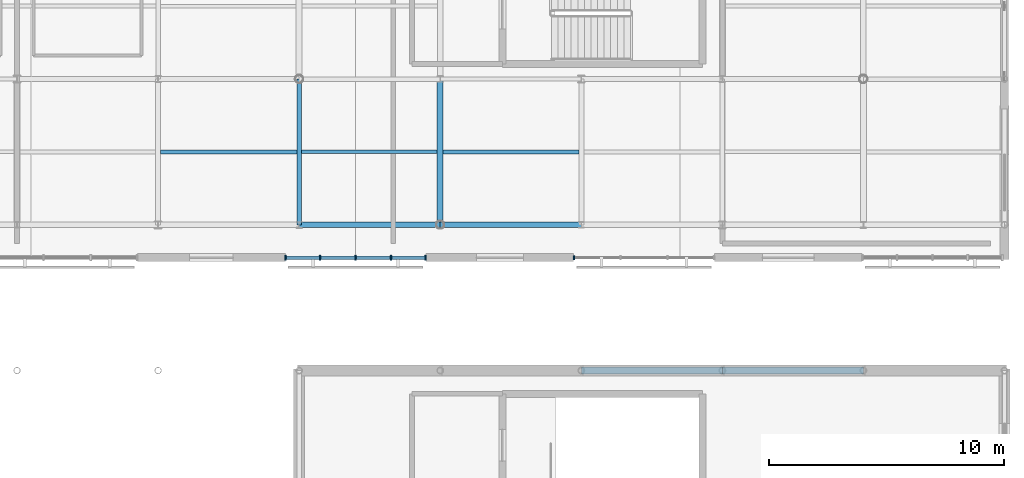
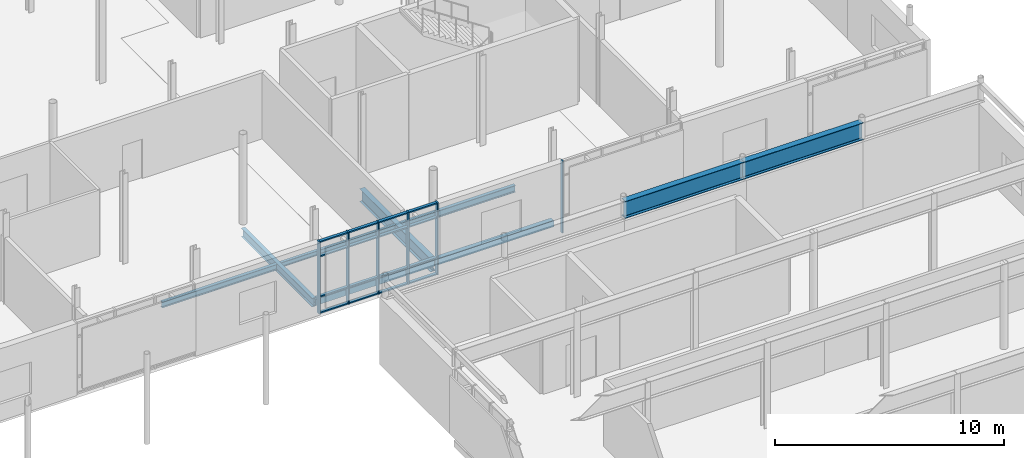
# One storey, part 41 of 84: 22 members, 9 beams, 2 elements without a shape of their own.
"""IFC4 building model written with IfcOpenShell, lengths in metres."""

from ifc_helpers import new_model, si_unit, direction, frame, origin, origin_2d, place, context, subcontext, project, spatial, rectangle, hollow_rectangle, i_section, extrude, material, layer, layer_set, material_profile, profile_set, type_object, element, aggregate, save


model = new_model("IFC4")

# Units and contexts
model_context = context("Model", 3, precision=1e-05, world=origin(), true_north=direction((0.0, 1.0)))
body_context = subcontext(model_context, "Body", "Model", "MODEL_VIEW")
ifc_project = project(units=[si_unit("LENGTHUNIT", "METRE"), si_unit("AREAUNIT", "SQUARE_METRE"), si_unit("VOLUMEUNIT", "CUBIC_METRE"), si_unit("PLANEANGLEUNIT", "RADIAN"), si_unit("MASSUNIT", "GRAM", prefix="KILO")], contexts=[model_context])

# Site, building, storey
site_placement = place(None, origin())
site = spatial("IfcSite", under=ifc_project, at=site_placement, CompositionType="ELEMENT")
building_placement = place(site_placement, origin())
building = spatial("IfcBuilding", under=site, at=building_placement, Name="Mirzam Square Science Centre", CompositionType="ELEMENT")
storey_placement = place(building_placement, frame((0.0, 0.0, 10.800048828125)))
storey = spatial("IfcBuildingStorey", under=building, at=storey_placement, Name="L02", CompositionType="ELEMENT", Elevation=10.800048828125)

# Beams
ifc_material_1 = material(Name="Steel S355", Category="steel")
ifc_material_profile_1 = material_profile(ifc_material_1, i_section(OverallWidth=0.19140625, OverallDepth=0.4599609375, WebThickness=0.010009765625, FlangeThickness=0.01611328125, FilletRadius=0.01025390625, at=origin_2d()), Name="457x191x82UB")
ifc_profile_set_1 = profile_set([ifc_material_profile_1], Name="Steel S355")
beam_type_1 = type_object("IfcBeamType", Name="BM-UB457", PredefinedType="BEAM", material=ifc_profile_set_1)
beam_1_placement = place(storey_placement, frame((132.0, 43.39990234375, -0.47998046875), z_axis=(0.0, 1.0, 0.0), x_axis=(-1.0, 0.0, 0.0)))
element("IfcBeam", 1, at=beam_1_placement, inside=storey, type_object=beam_type_1, Name="L02 girder Y23-8", PredefinedType="BEAM", context=body_context, shape_type="SweptSolid", body=[
    extrude(i_section(OverallWidth=0.19140625, OverallDepth=0.4599609375, WebThickness=0.010009765625, FlangeThickness=0.01611328125, FilletRadius=0.01025390625, at=origin_2d()), origin(), (0.0, 0.0, 1.0), 6.2001953125),
])
ifc_material_profile_2 = material_profile(ifc_material_1, i_section(OverallWidth=0.25439453125, OverallDepth=0.6875, WebThickness=0.01318359375, FlangeThickness=0.02099609375, FilletRadius=0.01513671875, at=origin_2d()), Name="686x254x152UB")
ifc_profile_set_2 = profile_set([ifc_material_profile_2], Name="Steel S355")
beam_type_2 = type_object("IfcBeamType", Name="BM-UB686", PredefinedType="BEAM", material=ifc_profile_set_2)
beam_2_placement = place(storey_placement, frame((138.0, 43.39990234375, -0.59375), z_axis=(0.0, 1.0, 0.0), x_axis=(-1.0, 0.0, 0.0)))
element("IfcBeam", 2, at=beam_2_placement, inside=storey, type_object=beam_type_2, Name="L02 girder Y24-8", PredefinedType="BEAM", context=body_context, shape_type="SweptSolid", body=[
    extrude(i_section(OverallWidth=0.25439453125, OverallDepth=0.6875, WebThickness=0.01318359375, FlangeThickness=0.02099609375, FilletRadius=0.01513671875, at=origin_2d()), origin(), (0.0, 0.0, 1.0), 6.2001953125),
])
ifc_material_profile_3 = material_profile(ifc_material_1, i_section(OverallWidth=0.30419921875, OverallDepth=0.910400390625, WebThickness=0.015869140625, FlangeThickness=0.02392578125, FilletRadius=0.01904296875, at=origin_2d()), Name="914x305x224UB")
ifc_profile_set_3 = profile_set([ifc_material_profile_3], Name="Steel S355")
beam_type_3 = type_object("IfcBeamType", Name="BM-UB914", PredefinedType="BEAM", material=ifc_profile_set_3)
for number, where, z_axis, x_axis, name in (
    (3, (144.0, 37.199951171875, 4.07470703125), (1.0, 0.0, 0.0), (0.0, 1.0, 0.0), "Theatre acoustic roof girder 25-7"),
    (4, (150.0, 37.199951171875, 4.07470703125), (1.0, 0.0, 0.0), (0.0, 1.0, 0.0), "Theatre acoustic roof girder 26-7"),
):
    element("IfcBeam", number, at=place(storey_placement, frame(where, z_axis=z_axis, x_axis=x_axis)), inside=storey, type_object=beam_type_3, Name=name, PredefinedType="BEAM", context=body_context, shape_type="SweptSolid", body=[
        extrude(i_section(OverallWidth=0.30419921875, OverallDepth=0.910400390625, WebThickness=0.015869140625, FlangeThickness=0.02392578125, FilletRadius=0.01904296875, at=origin_2d()), origin(), (0.0, 0.0, 1.0), 6.0),
    ])

# Curtain wall, member
ifc_material_2 = material(Name="Anodised Aluminium and Low-E Solar Glass", Category="aluminium")
ifc_layer_1 = layer(ifc_material_2, 0.199951171875)
ifc_layer_set_1 = layer_set([ifc_layer_1], Name="CW-PARK-B")
curtain_wall_type_1 = type_object("IfcCurtainWallType", Name="CW-PARK-B", PredefinedType="USERDEFINED", material=ifc_layer_set_1)
curtain_wall_1_placement = place(storey_placement, origin())
curtain_wall_1 = element("IfcCurtainWall", 5, at=curtain_wall_1_placement, inside=storey, type_object=curtain_wall_type_1, Name="L02 unitised curtain wall 103", ObjectType="UNITISED CURTAIN WALL", PredefinedType="USERDEFINED")
ifc_material_3 = material(Name="Anodised Architectural Aluminium 6063-T6", Category="aluminium")
ifc_material_profile_4 = material_profile(ifc_material_3, rectangle(XDim=0.06005859375, YDim=0.159912109375, at=origin_2d()), Name="ALU-MULL-160x60x4")
ifc_profile_set_4 = profile_set([ifc_material_profile_4], Name="Anodised Architectural Aluminium 6063-T6")
member_type_1 = type_object("IfcMemberType", Name="CWM-160", PredefinedType="MULLION", material=ifc_profile_set_4)
member_1_placement = place(storey_placement, frame((143.68505859375, 42.0, 0.0), z_axis=(0.0, 0.0, 1.0), x_axis=(1.0, 0.0, 0.0)))
member_1 = element("IfcMember", 6, at=member_1_placement, type_object=member_type_1, Name="CW-02 mullion 1", PredefinedType="MULLION", context=body_context, shape_type="SweptSolid", body=[
    extrude(rectangle(XDim=0.06005859375, YDim=0.159912109375, at=origin_2d()), origin(), (0.0, 0.0, 1.0), 3.83984375),
])
aggregate(curtain_wall_1, [member_1])

# Curtain wall, members
ifc_layer_2 = layer(ifc_material_2, 0.179931640625)
ifc_layer_set_2 = layer_set([ifc_layer_2], Name="CW-LINK-A")
curtain_wall_type_2 = type_object("IfcCurtainWallType", Name="CW-LINK-A", PredefinedType="USERDEFINED", material=ifc_layer_set_2)
curtain_wall_2_placement = place(storey_placement, origin())
curtain_wall_2 = element("IfcCurtainWall", 7, at=curtain_wall_2_placement, inside=storey, type_object=curtain_wall_type_2, Name="L02 unitised curtain wall 102", ObjectType="UNITISED CURTAIN WALL", PredefinedType="USERDEFINED")
ifc_material_profile_5 = material_profile(ifc_material_3, rectangle(XDim=0.06494140625, YDim=0.199951171875, at=origin_2d()), Name="ALU-MULL-200x65x5")
ifc_profile_set_5 = profile_set([ifc_material_profile_5], Name="Anodised Architectural Aluminium 6063-T6")
member_type_2 = type_object("IfcMemberType", Name="CWM-200", PredefinedType="MULLION", material=ifc_profile_set_5)
member_2_placement = place(storey_placement, frame((131.4208984375, 42.0, 0.0), z_axis=(0.0, 0.0, 1.0), x_axis=(1.0, 0.0, 0.0)))
member_2 = element("IfcMember", 8, at=member_2_placement, type_object=member_type_2, Name="CW-08 mullion 1", PredefinedType="MULLION", context=body_context, shape_type="SweptSolid", body=[
    extrude(rectangle(XDim=0.06494140625, YDim=0.199951171875, at=origin_2d()), origin(), (0.0, 0.0, 1.0), 3.83984375),
])
member_3_placement = place(storey_placement, frame((132.89404296875, 42.0, 0.0), z_axis=(0.0, 0.0, 1.0), x_axis=(1.0, 0.0, 0.0)))
member_3 = element("IfcMember", 9, at=member_3_placement, type_object=member_type_2, Name="CW-08 mullion 2", PredefinedType="MULLION", context=body_context, shape_type="SweptSolid", body=[
    extrude(rectangle(XDim=0.06494140625, YDim=0.199951171875, at=origin_2d()), origin(), (0.0, 0.0, 1.0), 3.83984375),
])
member_4_placement = place(storey_placement, frame((134.39990234375, 42.0, 0.0), z_axis=(0.0, 0.0, 1.0), x_axis=(1.0, 0.0, 0.0)))
member_4 = element("IfcMember", 10, at=member_4_placement, type_object=member_type_2, Name="CW-08 mullion 3", PredefinedType="MULLION", context=body_context, shape_type="SweptSolid", body=[
    extrude(rectangle(XDim=0.06494140625, YDim=0.199951171875, at=origin_2d()), origin(), (0.0, 0.0, 1.0), 3.83984375),
])
member_5_placement = place(storey_placement, frame((135.90576171875, 42.0, 0.0), z_axis=(0.0, 0.0, 1.0), x_axis=(1.0, 0.0, 0.0)))
member_5 = element("IfcMember", 11, at=member_5_placement, type_object=member_type_2, Name="CW-08 mullion 4", PredefinedType="MULLION", context=body_context, shape_type="SweptSolid", body=[
    extrude(rectangle(XDim=0.06494140625, YDim=0.199951171875, at=origin_2d()), origin(), (0.0, 0.0, 1.0), 3.83984375),
])
member_6_placement = place(storey_placement, frame((137.379150390625, 42.0, 0.0), z_axis=(0.0, 0.0, 1.0), x_axis=(1.0, 0.0, 0.0)))
member_6 = element("IfcMember", 12, at=member_6_placement, type_object=member_type_2, Name="CW-08 mullion 5", PredefinedType="MULLION", context=body_context, shape_type="SweptSolid", body=[
    extrude(rectangle(XDim=0.06494140625, YDim=0.199951171875, at=origin_2d()), origin(), (0.0, 0.0, 1.0), 3.83984375),
])
ifc_material_profile_6 = material_profile(ifc_material_3, rectangle(XDim=0.14990234375, YDim=0.06494140625, at=origin_2d()), Name="ALU-TRAN-150x65x4")
ifc_profile_set_6 = profile_set([ifc_material_profile_6], Name="Anodised Architectural Aluminium 6063-T6")
member_type_3 = type_object("IfcMemberType", Name="CWT-150", PredefinedType="USERDEFINED", material=ifc_profile_set_6)
member_7_placement = place(storey_placement, frame((131.453369140625, 42.0, 0.032470703125), z_axis=(1.0, 0.0, 0.0), x_axis=(0.0, 1.0, 0.0)))
member_7 = element("IfcMember", 13, at=member_7_placement, type_object=member_type_3, Name="CW-08 transom 1.1", ObjectType="TRANSOM", PredefinedType="USERDEFINED", context=body_context, shape_type="SweptSolid", body=[
    extrude(rectangle(XDim=0.14990234375, YDim=0.06494140625, at=origin_2d()), origin(), (0.0, 0.0, 1.0), 1.408203125),
])
member_8_placement = place(storey_placement, frame((131.453369140625, 42.0, 0.89990234375), z_axis=(1.0, 0.0, 0.0), x_axis=(0.0, 1.0, 0.0)))
member_8 = element("IfcMember", 14, at=member_8_placement, type_object=member_type_3, Name="CW-08 transom 1.2", ObjectType="TRANSOM", PredefinedType="USERDEFINED", context=body_context, shape_type="SweptSolid", body=[
    extrude(rectangle(XDim=0.14990234375, YDim=0.06494140625, at=origin_2d()), origin(), (0.0, 0.0, 1.0), 1.408203125),
])
member_9_placement = place(storey_placement, frame((131.453369140625, 42.0, 3.0400390625), z_axis=(1.0, 0.0, 0.0), x_axis=(0.0, 1.0, 0.0)))
member_9 = element("IfcMember", 15, at=member_9_placement, type_object=member_type_3, Name="CW-08 transom 1.3", ObjectType="TRANSOM", PredefinedType="USERDEFINED", context=body_context, shape_type="SweptSolid", body=[
    extrude(rectangle(XDim=0.14990234375, YDim=0.06494140625, at=origin_2d()), origin(), (0.0, 0.0, 1.0), 1.408203125),
])
member_10_placement = place(storey_placement, frame((131.453369140625, 42.0, 3.807373046875), z_axis=(1.0, 0.0, 0.0), x_axis=(0.0, 1.0, 0.0)))
member_10 = element("IfcMember", 16, at=member_10_placement, type_object=member_type_3, Name="CW-08 transom 1.4", ObjectType="TRANSOM", PredefinedType="USERDEFINED", context=body_context, shape_type="SweptSolid", body=[
    extrude(rectangle(XDim=0.14990234375, YDim=0.06494140625, at=origin_2d()), origin(), (0.0, 0.0, 1.0), 1.408203125),
])
member_11_placement = place(storey_placement, frame((132.9267578125, 42.0, 0.032470703125), z_axis=(1.0, 0.0, 0.0), x_axis=(0.0, 1.0, 0.0)))
member_11 = element("IfcMember", 17, at=member_11_placement, type_object=member_type_3, Name="CW-08 transom 2.1", ObjectType="TRANSOM", PredefinedType="USERDEFINED", context=body_context, shape_type="SweptSolid", body=[
    extrude(rectangle(XDim=0.14990234375, YDim=0.06494140625, at=origin_2d()), origin(), (0.0, 0.0, 1.0), 1.440673828125),
])
member_12_placement = place(storey_placement, frame((132.9267578125, 42.0, 0.89990234375), z_axis=(1.0, 0.0, 0.0), x_axis=(0.0, 1.0, 0.0)))
member_12 = element("IfcMember", 18, at=member_12_placement, type_object=member_type_3, Name="CW-08 transom 2.2", ObjectType="TRANSOM", PredefinedType="USERDEFINED", context=body_context, shape_type="SweptSolid", body=[
    extrude(rectangle(XDim=0.14990234375, YDim=0.06494140625, at=origin_2d()), origin(), (0.0, 0.0, 1.0), 1.440673828125),
])
member_13_placement = place(storey_placement, frame((132.9267578125, 42.0, 3.0400390625), z_axis=(1.0, 0.0, 0.0), x_axis=(0.0, 1.0, 0.0)))
member_13 = element("IfcMember", 19, at=member_13_placement, type_object=member_type_3, Name="CW-08 transom 2.3", ObjectType="TRANSOM", PredefinedType="USERDEFINED", context=body_context, shape_type="SweptSolid", body=[
    extrude(rectangle(XDim=0.14990234375, YDim=0.06494140625, at=origin_2d()), origin(), (0.0, 0.0, 1.0), 1.440673828125),
])
member_14_placement = place(storey_placement, frame((132.9267578125, 42.0, 3.807373046875), z_axis=(1.0, 0.0, 0.0), x_axis=(0.0, 1.0, 0.0)))
member_14 = element("IfcMember", 20, at=member_14_placement, type_object=member_type_3, Name="CW-08 transom 2.4", ObjectType="TRANSOM", PredefinedType="USERDEFINED", context=body_context, shape_type="SweptSolid", body=[
    extrude(rectangle(XDim=0.14990234375, YDim=0.06494140625, at=origin_2d()), origin(), (0.0, 0.0, 1.0), 1.440673828125),
])
member_15_placement = place(storey_placement, frame((134.4326171875, 42.0, 0.032470703125), z_axis=(1.0, 0.0, 0.0), x_axis=(0.0, 1.0, 0.0)))
member_15 = element("IfcMember", 21, at=member_15_placement, type_object=member_type_3, Name="CW-08 transom 3.1", ObjectType="TRANSOM", PredefinedType="USERDEFINED", context=body_context, shape_type="SweptSolid", body=[
    extrude(rectangle(XDim=0.14990234375, YDim=0.06494140625, at=origin_2d()), origin(), (0.0, 0.0, 1.0), 1.440673828125),
])
member_16_placement = place(storey_placement, frame((134.4326171875, 42.0, 0.89990234375), z_axis=(1.0, 0.0, 0.0), x_axis=(0.0, 1.0, 0.0)))
member_16 = element("IfcMember", 22, at=member_16_placement, type_object=member_type_3, Name="CW-08 transom 3.2", ObjectType="TRANSOM", PredefinedType="USERDEFINED", context=body_context, shape_type="SweptSolid", body=[
    extrude(rectangle(XDim=0.14990234375, YDim=0.06494140625, at=origin_2d()), origin(), (0.0, 0.0, 1.0), 1.440673828125),
])
member_17_placement = place(storey_placement, frame((134.4326171875, 42.0, 3.0400390625), z_axis=(1.0, 0.0, 0.0), x_axis=(0.0, 1.0, 0.0)))
member_17 = element("IfcMember", 23, at=member_17_placement, type_object=member_type_3, Name="CW-08 transom 3.3", ObjectType="TRANSOM", PredefinedType="USERDEFINED", context=body_context, shape_type="SweptSolid", body=[
    extrude(rectangle(XDim=0.14990234375, YDim=0.06494140625, at=origin_2d()), origin(), (0.0, 0.0, 1.0), 1.440673828125),
])
member_18_placement = place(storey_placement, frame((134.4326171875, 42.0, 3.807373046875), z_axis=(1.0, 0.0, 0.0), x_axis=(0.0, 1.0, 0.0)))
member_18 = element("IfcMember", 24, at=member_18_placement, type_object=member_type_3, Name="CW-08 transom 3.4", ObjectType="TRANSOM", PredefinedType="USERDEFINED", context=body_context, shape_type="SweptSolid", body=[
    extrude(rectangle(XDim=0.14990234375, YDim=0.06494140625, at=origin_2d()), origin(), (0.0, 0.0, 1.0), 1.440673828125),
])
member_19_placement = place(storey_placement, frame((135.938232421875, 42.0, 0.032470703125), z_axis=(1.0, 0.0, 0.0), x_axis=(0.0, 1.0, 0.0)))
member_19 = element("IfcMember", 25, at=member_19_placement, type_object=member_type_3, Name="CW-08 transom 4.1", ObjectType="TRANSOM", PredefinedType="USERDEFINED", context=body_context, shape_type="SweptSolid", body=[
    extrude(rectangle(XDim=0.14990234375, YDim=0.06494140625, at=origin_2d()), origin(), (0.0, 0.0, 1.0), 1.408447265625),
])
member_20_placement = place(storey_placement, frame((135.938232421875, 42.0, 0.89990234375), z_axis=(1.0, 0.0, 0.0), x_axis=(0.0, 1.0, 0.0)))
member_20 = element("IfcMember", 26, at=member_20_placement, type_object=member_type_3, Name="CW-08 transom 4.2", ObjectType="TRANSOM", PredefinedType="USERDEFINED", context=body_context, shape_type="SweptSolid", body=[
    extrude(rectangle(XDim=0.14990234375, YDim=0.06494140625, at=origin_2d()), origin(), (0.0, 0.0, 1.0), 1.408447265625),
])
member_21_placement = place(storey_placement, frame((135.938232421875, 42.0, 3.0400390625), z_axis=(1.0, 0.0, 0.0), x_axis=(0.0, 1.0, 0.0)))
member_21 = element("IfcMember", 27, at=member_21_placement, type_object=member_type_3, Name="CW-08 transom 4.3", ObjectType="TRANSOM", PredefinedType="USERDEFINED", context=body_context, shape_type="SweptSolid", body=[
    extrude(rectangle(XDim=0.14990234375, YDim=0.06494140625, at=origin_2d()), origin(), (0.0, 0.0, 1.0), 1.408447265625),
])
member_22_placement = place(storey_placement, frame((135.938232421875, 42.0, 3.807373046875), z_axis=(1.0, 0.0, 0.0), x_axis=(0.0, 1.0, 0.0)))
member_22 = element("IfcMember", 28, at=member_22_placement, type_object=member_type_3, Name="CW-08 transom 4.4", ObjectType="TRANSOM", PredefinedType="USERDEFINED", context=body_context, shape_type="SweptSolid", body=[
    extrude(rectangle(XDim=0.14990234375, YDim=0.06494140625, at=origin_2d()), origin(), (0.0, 0.0, 1.0), 1.408447265625),
])
aggregate(curtain_wall_2, [member_2, member_3, member_4, member_5, member_6, member_7, member_8, member_9, member_10, member_11, member_12, member_13, member_14, member_15, member_16, member_17, member_18, member_19, member_20, member_21, member_22])

# Beams
ifc_material_profile_7 = material_profile(ifc_material_1, i_section(OverallWidth=0.146484375, OverallDepth=0.256103515625, WebThickness=0.00634765625, FlangeThickness=0.010986328125, FilletRadius=0.007568359375, at=origin_2d()), Name="254x146x37UB")
ifc_profile_set_7 = profile_set([ifc_material_profile_7], Name="Steel S355")
beam_type_4 = type_object("IfcBeamType", Name="JS-UB254", PredefinedType="JOIST", material=ifc_profile_set_7)
beam_3_placement = place(storey_placement, frame((132.095703125, 46.5, -0.3779296875), z_axis=(1.0, 0.0, 0.0), x_axis=(0.0, 1.0, 0.0)))
element("IfcBeam", 29, at=beam_3_placement, inside=storey, type_object=beam_type_4, Name="L02 composite joist 23-8", PredefinedType="JOIST", context=body_context, shape_type="SweptSolid", body=[
    extrude(i_section(OverallWidth=0.146484375, OverallDepth=0.256103515625, WebThickness=0.00634765625, FlangeThickness=0.010986328125, FilletRadius=0.007568359375, at=origin_2d()), origin(), (0.0, 0.0, 1.0), 5.777099609375),
])
ifc_material_profile_8 = material_profile(ifc_material_1, i_section(OverallWidth=0.165771484375, OverallDepth=0.306640625, WebThickness=0.006591796875, FlangeThickness=0.01171875, FilletRadius=0.0087890625, at=origin_2d()), Name="305x165x46UB")
ifc_profile_set_8 = profile_set([ifc_material_profile_8], Name="Steel S355")
beam_type_5 = type_object("IfcBeamType", Name="JS-UB305", PredefinedType="JOIST", material=ifc_profile_set_8)
beam_4_placement = place(storey_placement, frame((126.10498046875, 46.5, -0.4033203125), z_axis=(1.0, 0.0, 0.0), x_axis=(0.0, 1.0, 0.0)))
element("IfcBeam", 30, at=beam_4_placement, inside=storey, type_object=beam_type_5, Name="L02 composite joist 22-8", PredefinedType="JOIST", context=body_context, shape_type="SweptSolid", body=[
    extrude(i_section(OverallWidth=0.165771484375, OverallDepth=0.306640625, WebThickness=0.006591796875, FlangeThickness=0.01171875, FilletRadius=0.0087890625, at=origin_2d()), origin(), (0.0, 0.0, 1.0), 5.79931640625),
])
ifc_material_profile_9 = material_profile(ifc_material_1, i_section(OverallWidth=0.172119140625, OverallDepth=0.35791015625, WebThickness=0.008056640625, FlangeThickness=0.012939453125, FilletRadius=0.01025390625, at=origin_2d()), Name="356x171x57UB")
ifc_profile_set_9 = profile_set([ifc_material_profile_9], Name="Steel S355")
beam_type_6 = type_object("IfcBeamType", Name="JS-UB356", PredefinedType="JOIST", material=ifc_profile_set_9)
beam_5_placement = place(storey_placement, frame((138.127197265625, 46.5, -0.428955078125), z_axis=(1.0, 0.0, 0.0), x_axis=(0.0, 1.0, 0.0)))
element("IfcBeam", 31, at=beam_5_placement, inside=storey, type_object=beam_type_6, Name="L02 composite joist 24-8", PredefinedType="JOIST", context=body_context, shape_type="SweptSolid", body=[
    extrude(i_section(OverallWidth=0.172119140625, OverallDepth=0.35791015625, WebThickness=0.008056640625, FlangeThickness=0.012939453125, FilletRadius=0.01025390625, at=origin_2d()), origin(), (0.0, 0.0, 1.0), 5.767822265625),
])
ifc_material_profile_10 = material_profile(ifc_material_1, hollow_rectangle(XDim=0.25, YDim=0.35009765625, WallThickness=0.012451171875, InnerFilletRadius=0.012451171875, OuterFilletRadius=0.02490234375, at=origin_2d()), Name="350x250x12.5RHS")
ifc_profile_set_10 = profile_set([ifc_material_profile_10], Name="Steel S355")
beam_type_7 = type_object("IfcBeamType", Name="SP-RHS350", PredefinedType="SPANDREL", material=ifc_profile_set_10)
for number, where, z_axis, x_axis, name in (
    (32, (132.0, 43.39990234375, -0.425048828125), (1.0, 0.0, 0.0), (0.0, 1.0, 0.0), "L02 girder X23-8"),
    (33, (138.0, 43.39990234375, -0.425048828125), (1.0, 0.0, 0.0), (0.0, 1.0, 0.0), "L02 girder X24-8"),
):
    element("IfcBeam", number, at=place(storey_placement, frame(where, z_axis=z_axis, x_axis=x_axis)), inside=storey, type_object=beam_type_7, Name=name, PredefinedType="SPANDREL", context=body_context, shape_type="SweptSolid", body=[
        extrude(hollow_rectangle(XDim=0.25, YDim=0.35009765625, WallThickness=0.012451171875, InnerFilletRadius=0.012451171875, OuterFilletRadius=0.02490234375, at=origin_2d()), origin(), (0.0, 0.0, 1.0), 6.0),
    ])

save(model, "model.ifc")
